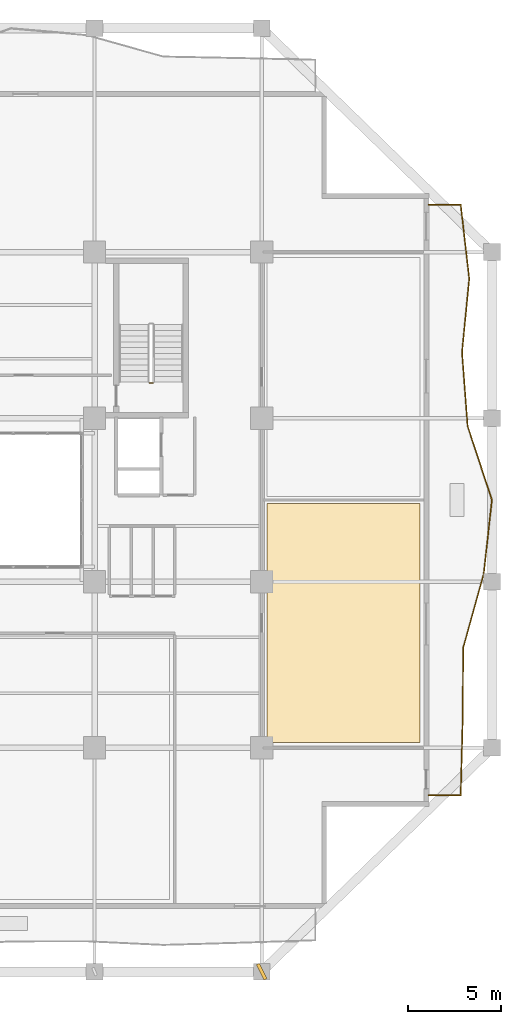
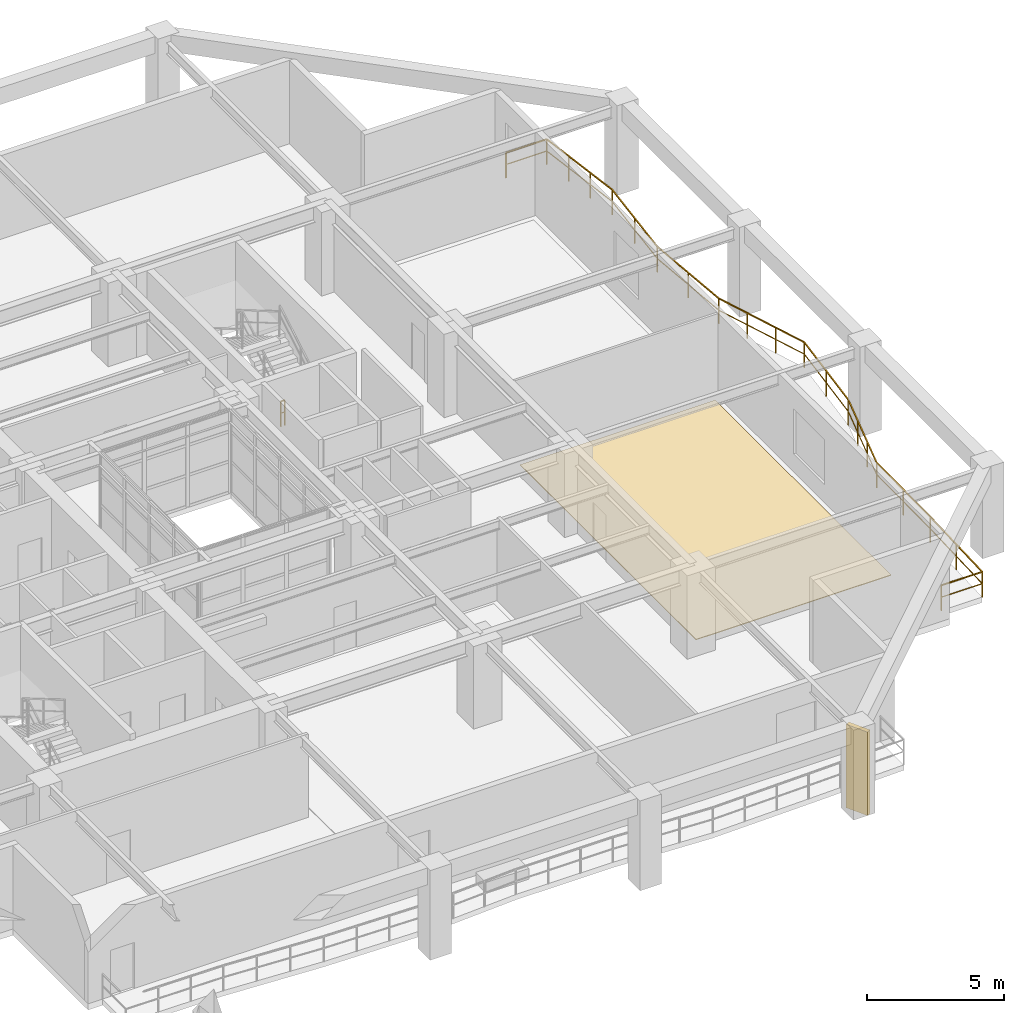
# One storey, part 13 of 17: 2 railings, 1 covering, 1 shading device.
"""IFC4 building model written with IfcOpenShell, lengths in metres."""

from ifc_helpers import new_model, si_unit, direction, frame, origin, origin_2d, place, context, subcontext, project, spatial, polyline, rectangle, outline, extrude, material, layer, layer_set, type_object, element, save


model = new_model("IFC4")

# Units and contexts
model_context = context("Model", 3, precision=1e-05, world=origin(), true_north=direction((0.0, 1.0)))
body_context = subcontext(model_context, "Body", "Model", "MODEL_VIEW")
ifc_project = project(units=[si_unit("LENGTHUNIT", "METRE"), si_unit("AREAUNIT", "SQUARE_METRE"), si_unit("VOLUMEUNIT", "CUBIC_METRE"), si_unit("PLANEANGLEUNIT", "RADIAN"), si_unit("MASSUNIT", "GRAM", prefix="KILO")], contexts=[model_context])

# Site, building, storey
site_placement = place(None, origin())
site = spatial("IfcSite", under=ifc_project, at=site_placement, CompositionType="ELEMENT")
building_placement = place(site_placement, origin())
building = spatial("IfcBuilding", under=site, at=building_placement, Name="Kundavana Baori Tower", CompositionType="ELEMENT")
storey_placement = place(building_placement, frame((0.0, 0.0, 26.0)))
storey = spatial("IfcBuildingStorey", under=building, at=storey_placement, Name="L05", CompositionType="ELEMENT", Elevation=26.0)

# Covering
ifc_material_1 = material(Name="Honed Kota Stone and Terrazzo Flooring", Category="masonry")
ifc_layer = layer(ifc_material_1, 0.030029296875, Name="COV-INT-FLR")
ifc_layer_set = layer_set([ifc_layer], Name="Honed Kota Stone and Terrazzo Flooring")
covering_type = type_object("IfcCoveringType", Name="COV-INT-FLR", PredefinedType="FLOORING", material=ifc_layer_set)
covering_placement = place(storey_placement, origin())
element("IfcCovering", 1, at=covering_placement, inside=storey, type_object=covering_type, Name="L05 Room Finished Stone Flooring 3", PredefinedType="FLOORING", context=body_context, shape_type="SweptSolid", body=[
    extrude(outline(polyline([(43.10009765625, 15.550048828125), (51.320068359375, 15.550048828125), (51.320068359375, 28.39990234375), (43.10009765625, 28.39990234375), (43.10009765625, 15.550048828125)])), origin(), (0.0, 0.0, 1.0), 0.030029296875),
])

# Railings
ifc_material_2 = material(Name="Architectural Patinated Bronze Metalwork")
railing_type_1 = type_object("IfcRailingType", Name="RL-BAL-1150", PredefinedType="BALUSTRADE", material=ifc_material_2)
railing_1_placement = place(storey_placement, frame((51.800048828125, 44.5, 0.0)))
element("IfcRailing", 2, at=railing_1_placement, inside=storey, type_object=railing_type_1, Name="L05 Loggia Balcony Balustrade E", PredefinedType="BALUSTRADE", context=body_context, shape_type="SweptSolid", body=[
    extrude(rectangle(XDim=0.048095703125, YDim=0.048095703125, at=origin_2d()), frame((0.0, 0.0, 1.1259765625), z_axis=(1.0, 0.0, 0.0), x_axis=(0.0, 1.0, 0.0)), (0.0, 0.0, 1.0), 1.719970703125),
    extrude(rectangle(XDim=0.03125, YDim=0.03125, at=origin_2d()), frame((0.0, 0.0, 0.597900390625), z_axis=(1.0, 0.0, 0.0), x_axis=(0.0, 1.0, 0.0)), (0.0, 0.0, 1.0), 1.719970703125),
    extrude(rectangle(XDim=0.048095703125, YDim=0.048095703125, at=origin_2d()), frame((1.719970703125, 0.0, 1.1259765625), z_axis=(0.115184479411, -0.993344117465, 0.0), x_axis=(0.993344117465, 0.115184479411, 0.0)), (0.0, 0.0, 1.0), 4.001708984375),
    extrude(rectangle(XDim=0.03125, YDim=0.03125, at=origin_2d()), frame((1.719970703125, 0.0, 0.597900390625), z_axis=(0.115184479411, -0.993344117465, 0.0), x_axis=(0.993344117465, 0.115184479411, 0.0)), (0.0, 0.0, 1.0), 4.001708984375),
    extrude(rectangle(XDim=0.048095703125, YDim=0.048095703125, at=origin_2d()), frame((2.180908203125, -3.97509765625, 1.1259765625), z_axis=(-0.097379095134, -0.995247362132, 0.0), x_axis=(0.995247362132, -0.097379095134, 0.0)), (0.0, 0.0, 1.0), 3.993896484375),
    extrude(rectangle(XDim=0.03125, YDim=0.03125, at=origin_2d()), frame((2.180908203125, -3.97509765625, 0.597900390625), z_axis=(-0.097379095134, -0.995247362132, 0.0), x_axis=(0.995247362132, -0.097379095134, 0.0)), (0.0, 0.0, 1.0), 3.993896484375),
    extrude(rectangle(XDim=0.048095703125, YDim=0.048095703125, at=origin_2d()), frame((1.7919921875, -7.949951171875, 1.1259765625), z_axis=(0.075511588968, -0.997144924237, 0.0), x_axis=(0.997144924237, 0.075511588968, 0.0)), (0.0, 0.0, 1.0), 3.986572265625),
    extrude(rectangle(XDim=0.03125, YDim=0.03125, at=origin_2d()), frame((1.7919921875, -7.949951171875, 0.597900390625), z_axis=(0.075511588968, -0.997144924237, 0.0), x_axis=(0.997144924237, 0.075511588968, 0.0)), (0.0, 0.0, 1.0), 3.986572265625),
    extrude(rectangle(XDim=0.048095703125, YDim=0.048095703125, at=origin_2d()), frame((2.093017578125, -11.925048828125, 1.1259765625), z_axis=(0.312339108056, -0.949970674063, 0.0), x_axis=(0.949970674063, 0.312339108056, 0.0)), (0.0, 0.0, 1.0), 4.18408203125),
    extrude(rectangle(XDim=0.03125, YDim=0.03125, at=origin_2d()), frame((2.093017578125, -11.925048828125, 0.597900390625), z_axis=(0.312339108056, -0.949970674063, 0.0), x_axis=(0.949970674063, 0.312339108056, 0.0)), (0.0, 0.0, 1.0), 4.18408203125),
    extrude(rectangle(XDim=0.048095703125, YDim=0.048095703125, at=origin_2d()), frame((3.39990234375, -15.89990234375, 1.1259765625), z_axis=(-0.1097614792, -0.993957955692, 0.0), x_axis=(0.993957955692, -0.1097614792, 0.0)), (0.0, 0.0, 1.0), 3.999267578125),
    extrude(rectangle(XDim=0.03125, YDim=0.03125, at=origin_2d()), frame((3.39990234375, -15.89990234375, 0.597900390625), z_axis=(-0.1097614792, -0.993957955692, 0.0), x_axis=(0.993957955692, -0.1097614792, 0.0)), (0.0, 0.0, 1.0), 3.999267578125),
    extrude(rectangle(XDim=0.048095703125, YDim=0.048095703125, at=origin_2d()), frame((2.9609375, -19.875, 1.1259765625), z_axis=(-0.26782087218, -0.963468723117, 0.0), x_axis=(0.963468723117, -0.26782087218, 0.0)), (0.0, 0.0, 1.0), 4.125732421875),
    extrude(rectangle(XDim=0.03125, YDim=0.03125, at=origin_2d()), frame((2.9609375, -19.875, 0.597900390625), z_axis=(-0.26782087218, -0.963468723117, 0.0), x_axis=(0.963468723117, -0.26782087218, 0.0)), (0.0, 0.0, 1.0), 4.125732421875),
    extrude(rectangle(XDim=0.048095703125, YDim=0.048095703125, at=origin_2d()), frame((1.85595703125, -23.85009765625, 1.1259765625), z_axis=(-0.007800266343, -0.99996957746, 0.0), x_axis=(0.99996957746, -0.007800266343, 0.0)), (0.0, 0.0, 1.0), 3.974853515625),
    extrude(rectangle(XDim=0.03125, YDim=0.03125, at=origin_2d()), frame((1.85595703125, -23.85009765625, 0.597900390625), z_axis=(-0.007800266343, -0.99996957746, 0.0), x_axis=(0.99996957746, -0.007800266343, 0.0)), (0.0, 0.0, 1.0), 3.974853515625),
    extrude(rectangle(XDim=0.048095703125, YDim=0.048095703125, at=origin_2d()), frame((1.824951171875, -27.824951171875, 1.1259765625), z_axis=(-0.026400326973, -0.999651450625, 0.0), x_axis=(0.999651450625, -0.026400326973, 0.0)), (0.0, 0.0, 1.0), 3.9765625),
    extrude(rectangle(XDim=0.03125, YDim=0.03125, at=origin_2d()), frame((1.824951171875, -27.824951171875, 0.597900390625), z_axis=(-0.026400326973, -0.999651450625, 0.0), x_axis=(0.999651450625, -0.026400326973, 0.0)), (0.0, 0.0, 1.0), 3.9765625),
    extrude(rectangle(XDim=0.048095703125, YDim=0.048095703125, at=origin_2d()), frame((1.719970703125, -31.800048828125, 1.1259765625), z_axis=(-1.0, 0.0, 0.0), x_axis=(0.0, -1.0, 0.0)), (0.0, 0.0, 1.0), 1.719970703125),
    extrude(rectangle(XDim=0.03125, YDim=0.03125, at=origin_2d()), frame((1.719970703125, -31.800048828125, 0.597900390625), z_axis=(-1.0, 0.0, 0.0), x_axis=(0.0, -1.0, 0.0)), (0.0, 0.0, 1.0), 1.719970703125),
    extrude(rectangle(XDim=0.0419921875, YDim=0.0419921875, at=origin_2d()), origin(), (0.0, 0.0, 1.0), 1.101806640625),
    extrude(rectangle(XDim=0.0419921875, YDim=0.0419921875, at=origin_2d()), frame((1.719970703125, 0.0, 0.0)), (0.0, 0.0, 1.0), 1.101806640625),
    extrude(rectangle(XDim=0.0419921875, YDim=0.0419921875, at=origin_2d()), frame((1.87353515625, -1.324951171875, 0.0)), (0.0, 0.0, 1.0), 1.101806640625),
    extrude(rectangle(XDim=0.0419921875, YDim=0.0419921875, at=origin_2d()), frame((2.02734375, -2.650146484375, 0.0)), (0.0, 0.0, 1.0), 1.101806640625),
    extrude(rectangle(XDim=0.0419921875, YDim=0.0419921875, at=origin_2d()), frame((2.180908203125, -3.97509765625, 0.0)), (0.0, 0.0, 1.0), 1.101806640625),
    extrude(rectangle(XDim=0.0419921875, YDim=0.0419921875, at=origin_2d()), frame((1.986328125, -5.96240234375, 0.0)), (0.0, 0.0, 1.0), 1.101806640625),
    extrude(rectangle(XDim=0.0419921875, YDim=0.0419921875, at=origin_2d()), frame((1.7919921875, -7.949951171875, 0.0)), (0.0, 0.0, 1.0), 1.101806640625),
    extrude(rectangle(XDim=0.0419921875, YDim=0.0419921875, at=origin_2d()), frame((1.9423828125, -9.9375, 0.0)), (0.0, 0.0, 1.0), 1.101806640625),
    extrude(rectangle(XDim=0.0419921875, YDim=0.0419921875, at=origin_2d()), frame((2.093017578125, -11.925048828125, 0.0)), (0.0, 0.0, 1.0), 1.101806640625),
    extrude(rectangle(XDim=0.0419921875, YDim=0.0419921875, at=origin_2d()), frame((2.528564453125, -13.25, 0.0)), (0.0, 0.0, 1.0), 1.101806640625),
    extrude(rectangle(XDim=0.0419921875, YDim=0.0419921875, at=origin_2d()), frame((2.96435546875, -14.574951171875, 0.0)), (0.0, 0.0, 1.0), 1.101806640625),
    extrude(rectangle(XDim=0.0419921875, YDim=0.0419921875, at=origin_2d()), frame((3.39990234375, -15.89990234375, 0.0)), (0.0, 0.0, 1.0), 1.101806640625),
    extrude(rectangle(XDim=0.0419921875, YDim=0.0419921875, at=origin_2d()), frame((3.180419921875, -17.887451171875, 0.0)), (0.0, 0.0, 1.0), 1.101806640625),
    extrude(rectangle(XDim=0.0419921875, YDim=0.0419921875, at=origin_2d()), frame((2.9609375, -19.875, 0.0)), (0.0, 0.0, 1.0), 1.101806640625),
    extrude(rectangle(XDim=0.0419921875, YDim=0.0419921875, at=origin_2d()), frame((2.592529296875, -21.199951171875, 0.0)), (0.0, 0.0, 1.0), 1.101806640625),
    extrude(rectangle(XDim=0.0419921875, YDim=0.0419921875, at=origin_2d()), frame((2.224365234375, -22.525146484375, 0.0)), (0.0, 0.0, 1.0), 1.101806640625),
    extrude(rectangle(XDim=0.0419921875, YDim=0.0419921875, at=origin_2d()), frame((1.85595703125, -23.85009765625, 0.0)), (0.0, 0.0, 1.0), 1.101806640625),
    extrude(rectangle(XDim=0.0419921875, YDim=0.0419921875, at=origin_2d()), frame((1.84033203125, -25.83740234375, 0.0)), (0.0, 0.0, 1.0), 1.101806640625),
    extrude(rectangle(XDim=0.0419921875, YDim=0.0419921875, at=origin_2d()), frame((1.824951171875, -27.824951171875, 0.0)), (0.0, 0.0, 1.0), 1.101806640625),
    extrude(rectangle(XDim=0.0419921875, YDim=0.0419921875, at=origin_2d()), frame((1.7724609375, -29.8125, 0.0)), (0.0, 0.0, 1.0), 1.101806640625),
    extrude(rectangle(XDim=0.0419921875, YDim=0.0419921875, at=origin_2d()), frame((1.719970703125, -31.800048828125, 0.0)), (0.0, 0.0, 1.0), 1.101806640625),
    extrude(rectangle(XDim=0.0419921875, YDim=0.0419921875, at=origin_2d()), frame((0.0, -31.800048828125, 0.0)), (0.0, 0.0, 1.0), 1.101806640625),
])
ifc_material_3 = material(Name="Architectural Patinated Bronze Metalwork")
railing_type_2 = type_object("IfcRailingType", Name="RL-GRD-1150", PredefinedType="GUARDRAIL", material=ifc_material_3)
railing_2_placement = place(storey_placement, frame((36.929931640625, 34.89990234375, 0.0)))
element("IfcRailing", 3, at=railing_2_placement, inside=storey, type_object=railing_type_2, Name="L05 ST3 stair guard 4", PredefinedType="GUARDRAIL", context=body_context, shape_type="SweptSolid", body=[
    extrude(rectangle(XDim=0.048095703125, YDim=0.048095703125, at=origin_2d()), frame((0.0, 0.0, 1.1259765625), z_axis=(-1.0, 0.0, 0.0), x_axis=(0.0, -1.0, 0.0)), (0.0, 0.0, 1.0), 0.159912109375),
    extrude(rectangle(XDim=0.03125, YDim=0.03125, at=origin_2d()), frame((0.0, 0.0, 0.597900390625), z_axis=(-1.0, 0.0, 0.0), x_axis=(0.0, -1.0, 0.0)), (0.0, 0.0, 1.0), 0.159912109375),
    extrude(rectangle(XDim=0.0419921875, YDim=0.0419921875, at=origin_2d()), origin(), (0.0, 0.0, 1.0), 1.101806640625),
    extrude(rectangle(XDim=0.0419921875, YDim=0.0419921875, at=origin_2d()), frame((-0.159912109375, 0.0, 0.0)), (0.0, 0.0, 1.0), 1.101806640625),
])

# Shading device
ifc_material_4 = material(Name="Red-Buff Dholpur Sandstone Cladding on Concrete C40/50", Category="masonry")
shading_device_type = type_object("IfcShadingDeviceType", Name="SHD-FIN-920", PredefinedType="JALOUSIE", material=ifc_material_4)
shading_device_placement = place(storey_placement, frame((42.800048828125, 3.199951171875, 0.0), z_axis=(0.0, 0.0, 1.0), x_axis=(0.89163954577, 0.452745977805, 0.0)))
element("IfcShadingDevice", 4, at=shading_device_placement, inside=storey, type_object=shading_device_type, Name="L05 Sweeping Dholpur Sandstone Facade Fin 4", PredefinedType="JALOUSIE", context=body_context, shape_type="SweptSolid", body=[
    extrude(rectangle(XDim=0.179931640625, YDim=0.919921875, at=origin_2d()), origin(), (0.0, 0.0, 1.0), 3.719970703125),
])

save(model, "model.ifc")
